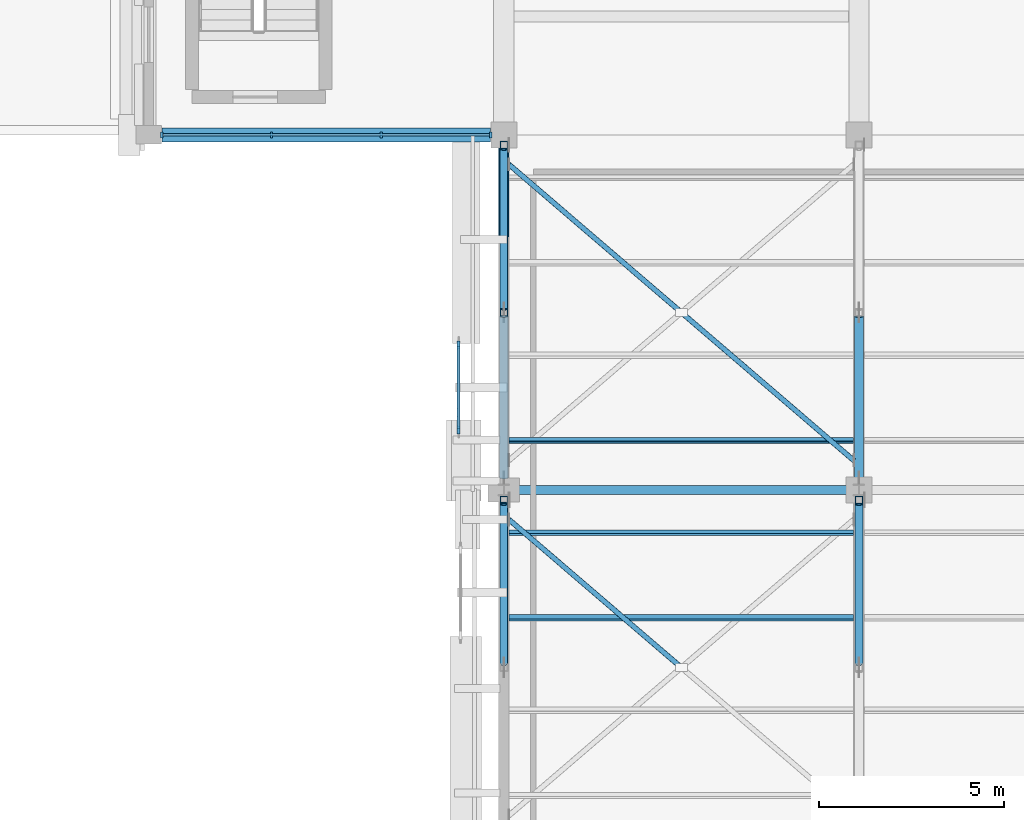
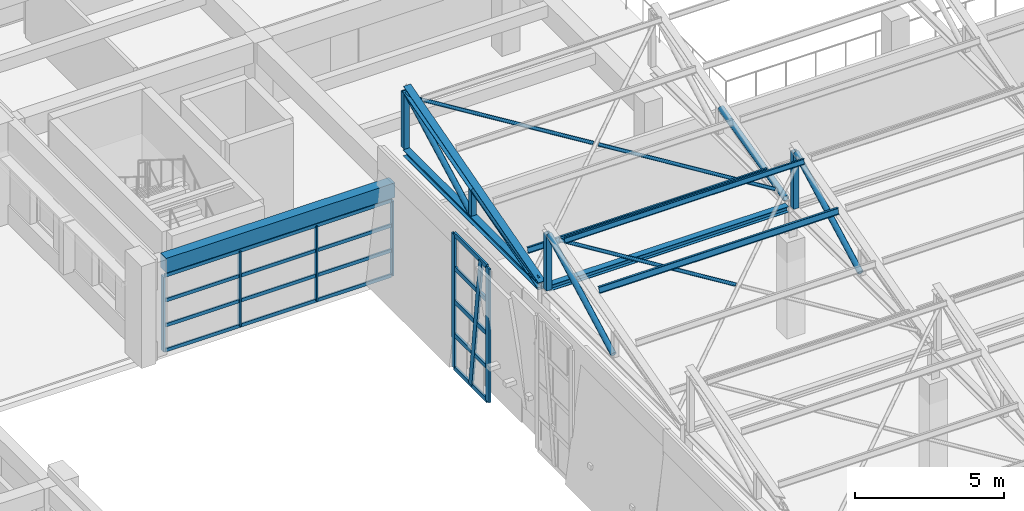
# One storey, part 13 of 71: 33 members, 2 beams, 2 elements without a shape of their own.
"""IFC4 building model written with IfcOpenShell, lengths in metres."""

from ifc_helpers import new_model, si_unit, direction, frame, origin, origin_2d, place, context, subcontext, project, spatial, rectangle, hollow_rectangle, hollow_circle, i_section, extrude, material, layer, layer_set, material_profile, profile_set, type_object, element, aggregate, save


model = new_model("IFC4")

# Units and contexts
model_context = context("Model", 3, precision=1e-05, world=origin(), true_north=direction((0.0, 1.0)))
body_context = subcontext(model_context, "Body", "Model", "MODEL_VIEW")
ifc_project = project(units=[si_unit("LENGTHUNIT", "METRE"), si_unit("AREAUNIT", "SQUARE_METRE"), si_unit("VOLUMEUNIT", "CUBIC_METRE"), si_unit("PLANEANGLEUNIT", "RADIAN"), si_unit("MASSUNIT", "GRAM", prefix="KILO")], contexts=[model_context])

# Site, building, storey
site_placement = place(None, origin())
site = spatial("IfcSite", under=ifc_project, at=site_placement, CompositionType="ELEMENT")
building_placement = place(site_placement, origin())
building = spatial("IfcBuilding", under=site, at=building_placement, Name="Bempovik Park Faculty of Sciences", CompositionType="ELEMENT")
storey_placement = place(building_placement, frame((0.0, 0.0, 14.10009765625)))
storey = spatial("IfcBuildingStorey", under=building, at=storey_placement, Name="L03", CompositionType="ELEMENT", Elevation=14.10009765625)

# Beams
ifc_material_1 = material(Name="Concrete C35/45", Category="concrete")
ifc_material_profile_1 = material_profile(ifc_material_1, rectangle(XDim=0.3798828125, YDim=0.60009765625, at=origin_2d()), Name="RC 380x600")
ifc_profile_set_1 = profile_set([ifc_material_profile_1], Name="Concrete C35/45")
beam_type_1 = type_object("IfcBeamType", Name="B-032 RC 380x600", PredefinedType="SPANDREL", material=ifc_profile_set_1)
beam_1_placement = place(storey_placement, frame((50.756103515625, 67.800048828125, 3.599853515625), z_axis=(1.0, 0.0, 0.0), x_axis=(0.0, 1.0, 0.0)))
element("IfcBeam", 1, at=beam_1_placement, inside=storey, type_object=beam_type_1, Name="L03 Beam X (50.4-60.0, y=67.8)", PredefinedType="SPANDREL", context=body_context, shape_type="SweptSolid", body=[
    extrude(rectangle(XDim=0.3798828125, YDim=0.60009765625, at=origin_2d()), origin(), (0.0, 0.0, 1.0), 8.887939453125),
])
ifc_material_2 = material(Name="Steel S355", Category="steel")
ifc_material_profile_2 = material_profile(ifc_material_2, i_section(OverallWidth=0.239990234375, OverallDepth=0.239990234375, WebThickness=0.010009765625, FlangeThickness=0.01708984375, at=origin_2d()), Name="HEB 240")
ifc_profile_set_2 = profile_set([ifc_material_profile_2], Name="Steel S355")
beam_type_2 = type_object("IfcBeamType", Name="B-042 HEB 240", PredefinedType="BEAM", material=ifc_profile_set_2)
beam_2_placement = place(storey_placement, frame((60.14990234375, 58.199951171875, 5.14990234375), z_axis=(1.0, 0.0, 0.0), x_axis=(0.0, 1.0, 0.0)))
element("IfcBeam", 2, at=beam_2_placement, inside=storey, type_object=beam_type_2, Name="Sawtooth Valley Tie Beam V1-B5 (60.0-69.6)", PredefinedType="BEAM", context=body_context, shape_type="SweptSolid", body=[
    extrude(i_section(OverallWidth=0.239990234375, OverallDepth=0.239990234375, WebThickness=0.010009765625, FlangeThickness=0.01708984375, at=origin_2d()), origin(), (0.0, 0.0, 1.0), 9.300048828125),
])

# Members
ifc_material_profile_3 = material_profile(ifc_material_2, i_section(OverallWidth=0.110107421875, OverallDepth=0.219970703125, WebThickness=0.005859375, FlangeThickness=0.00927734375, at=origin_2d()), Name="IPE 220")
ifc_profile_set_3 = profile_set([ifc_material_profile_3], Name="Steel S355")
member_type_1 = type_object("IfcMemberType", Name="M-18 IPE 220", PredefinedType="PURLIN", material=ifc_profile_set_3)
member_1_placement = place(storey_placement, frame((60.14599609375, 59.5439453125, 5.847412109375), z_axis=(1.0, 0.0, 0.0), x_axis=(0.0, 0.965925826289, -0.258819045103)))
element("IfcMember", 3, at=member_1_placement, inside=storey, type_object=member_type_1, Name="Sawtooth Roof Purlin V1-B5 (60.0-69.6) #1", PredefinedType="PURLIN", context=body_context, shape_type="SweptSolid", body=[
    extrude(i_section(OverallWidth=0.110107421875, OverallDepth=0.219970703125, WebThickness=0.005859375, FlangeThickness=0.00927734375, at=origin_2d()), origin(), (0.0, 0.0, 1.0), 9.30810546875),
])
ifc_material_profile_4 = material_profile(ifc_material_2, hollow_circle(Radius=0.109619140625, WallThickness=0.010009765625, at=origin_2d()), Name="CHS 219.1x10")
ifc_profile_set_4 = profile_set([ifc_material_profile_4], Name="Steel S355")
member_type_2 = type_object("IfcMemberType", Name="M-22 CHS 219.1x10", PredefinedType="BRACE", material=ifc_profile_set_4)
for number, where, z_axis, x_axis, name in (
    (4, (60.0, 53.5048828125, 5.285888671875), (0.0, 0.882198506662, 0.470877685651), (-1.0, 0.0, 0.0), "Sawtooth Web Diagonal 2 V1-B4 (60.0)"),
    (5, (69.60009765625, 53.5048828125, 5.285888671875), (0.0, 0.882198506662, 0.470877685651), (-1.0, 0.0, 0.0), "Sawtooth Web Diagonal 2 V1-B4 (69.6)"),
):
    element("IfcMember", number, at=place(storey_placement, frame(where, z_axis=z_axis, x_axis=x_axis)), inside=storey, type_object=member_type_2, Name=name, PredefinedType="BRACE", context=body_context, shape_type="SweptSolid", body=[
        extrude(hollow_circle(Radius=0.109619140625, WallThickness=0.010009765625, at=origin_2d()), origin(), (0.0, 0.0, 1.0), 4.90283203125),
    ])
member_2_placement = place(storey_placement, frame((60.0, 63.10498046875, 5.285888671875), z_axis=(0.0, 0.882187464719, 0.470898372361), x_axis=(-1.0, 0.0, 0.0)))
element("IfcMember", 6, at=member_2_placement, inside=storey, type_object=member_type_2, Name="Sawtooth Web Diagonal 2 V1-B5 (60.0)", PredefinedType="BRACE", context=body_context, shape_type="SweptSolid", body=[
    extrude(hollow_circle(Radius=0.109619140625, WallThickness=0.010009765625, at=origin_2d()), origin(), (0.0, 0.0, 1.0), 4.902587890625),
])
ifc_material_profile_5 = material_profile(ifc_material_2, i_section(OverallWidth=0.280029296875, OverallDepth=0.280029296875, WebThickness=0.010498046875, FlangeThickness=0.01806640625, at=origin_2d()), Name="HEB 280")
ifc_profile_set_5 = profile_set([ifc_material_profile_5], Name="Steel S355")
member_type_3 = type_object("IfcMemberType", Name="M-26 HEB 280", PredefinedType="CHORD", material=ifc_profile_set_5)
member_3_placement = place(storey_placement, frame((60.0, 58.35595703125, 5.212158203125), z_axis=(0.0, 0.962201828539, 0.272337366434), x_axis=(-1.0, 0.0, 0.0)))
element("IfcMember", 7, at=member_3_placement, inside=storey, type_object=member_type_3, Name="Sawtooth Top Rafter Chord V1-B5 (60.0)", PredefinedType="CHORD", context=body_context, shape_type="SweptSolid", body=[
    extrude(i_section(OverallWidth=0.280029296875, OverallDepth=0.280029296875, WebThickness=0.010498046875, FlangeThickness=0.01806640625, at=origin_2d()), origin(), (0.0, 0.0, 1.0), 9.445068359375),
])
ifc_material_profile_6 = material_profile(ifc_material_2, hollow_rectangle(XDim=0.199951171875, YDim=0.199951171875, WallThickness=0.010009765625, at=origin_2d()), Name="SHS 200x200x10")
ifc_profile_set_6 = profile_set([ifc_material_profile_6], Name="Steel S355")
member_type_4 = type_object("IfcMemberType", Name="M-44 SHS 200x200x10", PredefinedType="POST", material=ifc_profile_set_6)
for number, where, z_axis, x_axis, name in (
    (8, (60.0, 57.929931640625, 5.285888671875), (0.0, 0.0, 1.0), (1.0, 0.0, 0.0), "Sawtooth North-Light Post V1-B4 (60.0)"),
    (9, (69.60009765625, 57.929931640625, 5.285888671875), (0.0, 0.0, 1.0), (1.0, 0.0, 0.0), "Sawtooth North-Light Post V1-B4 (69.6)"),
    (10, (60.0, 67.530029296875, 5.285888671875), (0.0, 0.0, 1.0), (1.0, 0.0, 0.0), "Sawtooth North-Light Post V1-B5 (60.0)"),
):
    element("IfcMember", number, at=place(storey_placement, frame(where, z_axis=z_axis, x_axis=x_axis)), inside=storey, type_object=member_type_4, Name=name, PredefinedType="POST", context=body_context, shape_type="SweptSolid", body=[
        extrude(hollow_rectangle(XDim=0.199951171875, YDim=0.199951171875, WallThickness=0.010009765625, at=origin_2d()), origin(), (0.0, 0.0, 1.0), 2.30859375),
    ])
member_4_placement = place(storey_placement, frame((60.0, 63.0, 5.285888671875), z_axis=(0.0, 0.0, 1.0), x_axis=(1.0, 0.0, 0.0)))
element("IfcMember", 11, at=member_4_placement, inside=storey, type_object=member_type_4, Name="Sawtooth Mid Post V1-B5 (60.0)", PredefinedType="POST", context=body_context, shape_type="SweptSolid", body=[
    extrude(hollow_rectangle(XDim=0.199951171875, YDim=0.199951171875, WallThickness=0.010009765625, at=origin_2d()), origin(), (0.0, 0.0, 1.0), 1.052490234375),
])
ifc_material_profile_7 = material_profile(ifc_material_2, i_section(OverallWidth=0.10009765625, OverallDepth=0.199951171875, WebThickness=0.005615234375, FlangeThickness=0.008544921875, at=origin_2d()), Name="IPE 200")
ifc_profile_set_7 = profile_set([ifc_material_profile_7], Name="Steel S355")
member_type_5 = type_object("IfcMemberType", Name="M-48 IPE 200", PredefinedType="PURLIN", material=ifc_profile_set_7)
member_5_placement = place(storey_placement, frame((60.14599609375, 57.048095703125, 7.7607421875), z_axis=(1.0, 0.0, 0.0), x_axis=(0.0, 0.965925826289, -0.258819045103)))
element("IfcMember", 12, at=member_5_placement, inside=storey, type_object=member_type_5, Name="Sawtooth Roof Purlin V1-B4 (60.0-69.6) #4", PredefinedType="PURLIN", context=body_context, shape_type="SweptSolid", body=[
    extrude(i_section(OverallWidth=0.10009765625, OverallDepth=0.199951171875, WebThickness=0.005615234375, FlangeThickness=0.008544921875, at=origin_2d()), origin(), (0.0, 0.0, 1.0), 9.30810546875),
])
ifc_material_profile_8 = material_profile(ifc_material_2, i_section(OverallWidth=0.260009765625, OverallDepth=0.260009765625, WebThickness=0.010009765625, FlangeThickness=0.017578125, at=origin_2d()), Name="HEB 260")
ifc_profile_set_8 = profile_set([ifc_material_profile_8], Name="Steel S355")
member_type_6 = type_object("IfcMemberType", Name="M-58 HEB 260", PredefinedType="CHORD", material=ifc_profile_set_8)
member_6_placement = place(storey_placement, frame((60.0, 58.35595703125, 5.14990234375), z_axis=(0.0, 1.0, 0.0), x_axis=(-1.0, 0.0, 0.0)))
element("IfcMember", 13, at=member_6_placement, inside=storey, type_object=member_type_6, Name="Sawtooth Bottom Chord V1-B5 (60.0)", PredefinedType="CHORD", context=body_context, shape_type="SweptSolid", body=[
    extrude(i_section(OverallWidth=0.260009765625, OverallDepth=0.260009765625, WebThickness=0.010009765625, FlangeThickness=0.017578125, at=origin_2d()), origin(), (0.0, 0.0, 1.0), 9.088134765625),
])
ifc_material_profile_9 = material_profile(ifc_material_2, hollow_circle(Radius=0.122314453125, WallThickness=0.010009765625, at=origin_2d()), Name="CHS 244.5x10")
ifc_profile_set_9 = profile_set([ifc_material_profile_9], Name="Steel S355")
member_type_7 = type_object("IfcMemberType", Name="M-82 CHS 244.5x10", PredefinedType="BRACE", material=ifc_profile_set_9)
for number, where, z_axis, x_axis, name in (
    (14, (60.0, 58.530029296875, 5.285888671875), (0.0, 0.972139485331, 0.234403116576), (-1.0, 0.0, 0.0), "Sawtooth Web Diagonal 1 V1-B5 (60.0)"),
    (15, (69.60009765625, 58.530029296875, 5.285888671875), (0.0, 0.972139485331, 0.234403116576), (-1.0, 0.0, 0.0), "Sawtooth Web Diagonal 1 V1-B5 (69.6)"),
):
    element("IfcMember", number, at=place(storey_placement, frame(where, z_axis=z_axis, x_axis=x_axis)), inside=storey, type_object=member_type_7, Name=name, PredefinedType="BRACE", context=body_context, shape_type="SweptSolid", body=[
        extrude(hollow_circle(Radius=0.122314453125, WallThickness=0.010009765625, at=origin_2d()), origin(), (0.0, 0.0, 1.0), 4.489990234375),
    ])
ifc_material_profile_10 = material_profile(ifc_material_2, hollow_circle(Radius=0.06982421875, WallThickness=0.00634765625, at=origin_2d()), Name="CHS 139.7x6.3")
ifc_profile_set_10 = profile_set([ifc_material_profile_10], Name="Steel S355")
member_type_8 = type_object("IfcMemberType", Name="M-83 CHS 139.7x6.3", PredefinedType="BRACE", material=ifc_profile_set_10)
member_7_placement = place(storey_placement, frame((60.139892578125, 57.39990234375, 7.5703125), z_axis=(0.747509216421, -0.641613401953, -0.17193665636), x_axis=(0.65131274657, 0.758809400413, 0.0)))
element("IfcMember", 16, at=member_7_placement, inside=storey, type_object=member_type_8, Name="Sawtooth Split X-Brace Half A V1-B4 (60.0-69.6)", PredefinedType="BRACE", context=body_context, shape_type="SweptSolid", body=[
    extrude(hollow_circle(Radius=0.06982421875, WallThickness=0.00634765625, at=origin_2d()), origin(), (0.0, 0.0, 1.0), 6.14404296875),
])
for number, where, z_axis, x_axis, name in (
    (17, (60.139892578125, 67.0, 7.5703125), (0.747490158812, -0.641636778891, -0.171932272867), (0.651335971051, 0.758789465408, 0.0), "Sawtooth Split X-Brace Half A V1-B5 (60.0-69.6)"),
    (18, (64.8671875, 62.9423828125, 6.48291015625), (0.747490158812, -0.641636778891, -0.171932272867), (0.651335971051, 0.758789465408, 0.0), "Sawtooth Split X-Brace Half B V1-B5 (60.0-69.6)"),
):
    element("IfcMember", number, at=place(storey_placement, frame(where, z_axis=z_axis, x_axis=x_axis)), inside=storey, type_object=member_type_8, Name=name, PredefinedType="BRACE", context=body_context, shape_type="SweptSolid", body=[
        extrude(hollow_circle(Radius=0.06982421875, WallThickness=0.00634765625, at=origin_2d()), origin(), (0.0, 0.0, 1.0), 6.144287109375),
    ])
ifc_material_profile_11 = material_profile(ifc_material_2, i_section(OverallWidth=0.1201171875, OverallDepth=0.239990234375, WebThickness=0.006103515625, FlangeThickness=0.009765625, at=origin_2d()), Name="IPE 240")
ifc_profile_set_11 = profile_set([ifc_material_profile_11], Name="Steel S355")
member_type_9 = type_object("IfcMemberType", Name="M-86 IPE 240", PredefinedType="PURLIN", material=ifc_profile_set_11)
member_8_placement = place(storey_placement, frame((60.14599609375, 54.743896484375, 7.12353515625), z_axis=(1.0, 0.0, 0.0), x_axis=(0.0, 0.965925826289, -0.258819045103)))
element("IfcMember", 19, at=member_8_placement, inside=storey, type_object=member_type_9, Name="Sawtooth Roof Purlin V1-B4 (60.0-69.6) #3", PredefinedType="PURLIN", context=body_context, shape_type="SweptSolid", body=[
    extrude(i_section(OverallWidth=0.1201171875, OverallDepth=0.239990234375, WebThickness=0.006103515625, FlangeThickness=0.009765625, at=origin_2d()), origin(), (0.0, 0.0, 1.0), 9.30810546875),
])

# Curtain wall, members
ifc_material_3 = material(Name="Tempered laminated low-E glass", Category="glass")
ifc_layer_1 = layer(ifc_material_3, 0.159912109375)
ifc_layer_set_1 = layer_set([ifc_layer_1], Name="Tempered laminated low-E glass")
curtain_wall_type_1 = type_object("IfcCurtainWallType", Name="CW-41 Curtain 6600x3800", PredefinedType="USERDEFINED", material=ifc_layer_set_1)
curtain_wall_1_placement = place(storey_placement, origin())
curtain_wall_1 = element("IfcCurtainWall", 20, at=curtain_wall_1_placement, inside=storey, type_object=curtain_wall_type_1, Name="L03 Unitised Curtain Wall (67.8,50.4)", ObjectType="UNITISED CURTAIN WALL", PredefinedType="USERDEFINED")
ifc_material_4 = material(Name="Anodised architectural bronze", Category="aluminium")
ifc_material_profile_12 = material_profile(ifc_material_4, rectangle(XDim=0.06494140625, YDim=0.169921875, at=origin_2d()), Name="ALU-M 65x170")
ifc_profile_set_12 = profile_set([ifc_material_profile_12], Name="Anodised architectural bronze")
member_type_10 = type_object("IfcMemberType", Name="ML-15 ALU-M 65x170", PredefinedType="MULLION", material=ifc_profile_set_12)
member_9_placement = place(storey_placement, frame((50.751953125, 67.800048828125, 0.0), z_axis=(0.0, 0.0, 1.0), x_axis=(1.0, 0.0, 0.0)))
member_9 = element("IfcMember", 21, at=member_9_placement, type_object=member_type_10, Name="CW-BAY-L03-678-504 Mullion 0", PredefinedType="MULLION", context=body_context, shape_type="SweptSolid", body=[
    extrude(rectangle(XDim=0.06494140625, YDim=0.169921875, at=origin_2d()), origin(), (0.0, 0.0, 1.0), 3.079833984375),
])
member_10_placement = place(storey_placement, frame((53.71728515625, 67.800048828125, 0.0), z_axis=(0.0, 0.0, 1.0), x_axis=(1.0, 0.0, 0.0)))
member_10 = element("IfcMember", 22, at=member_10_placement, type_object=member_type_10, Name="CW-BAY-L03-678-504 Mullion 1", PredefinedType="MULLION", context=body_context, shape_type="SweptSolid", body=[
    extrude(rectangle(XDim=0.06494140625, YDim=0.169921875, at=origin_2d()), origin(), (0.0, 0.0, 1.0), 3.079833984375),
])
member_11_placement = place(storey_placement, frame((56.6826171875, 67.800048828125, 0.0), z_axis=(0.0, 0.0, 1.0), x_axis=(1.0, 0.0, 0.0)))
member_11 = element("IfcMember", 23, at=member_11_placement, type_object=member_type_10, Name="CW-BAY-L03-678-504 Mullion 2", PredefinedType="MULLION", context=body_context, shape_type="SweptSolid", body=[
    extrude(rectangle(XDim=0.06494140625, YDim=0.169921875, at=origin_2d()), origin(), (0.0, 0.0, 1.0), 3.079833984375),
])
member_12_placement = place(storey_placement, frame((59.64794921875, 67.800048828125, 0.0), z_axis=(0.0, 0.0, 1.0), x_axis=(1.0, 0.0, 0.0)))
member_12 = element("IfcMember", 24, at=member_12_placement, type_object=member_type_10, Name="CW-BAY-L03-678-504 Mullion 3", PredefinedType="MULLION", context=body_context, shape_type="SweptSolid", body=[
    extrude(rectangle(XDim=0.06494140625, YDim=0.169921875, at=origin_2d()), origin(), (0.0, 0.0, 1.0), 3.079833984375),
])

ifc_layer_2 = layer(ifc_material_3, 0.159912109375)
ifc_layer_set_2 = layer_set([ifc_layer_2], Name="Tempered laminated low-E glass")
curtain_wall_type_2 = type_object("IfcCurtainWallType", Name="CW-33 Curtain 2400x4000", PredefinedType="USERDEFINED", material=ifc_layer_set_2)
curtain_wall_2_placement = place(storey_placement, origin())
curtain_wall_2 = element("IfcCurtainWall", 25, at=curtain_wall_2_placement, inside=storey, type_object=curtain_wall_type_2, Name="L03 Crystal Slantwise Light Fold (60.0,58.2)", ObjectType="UNITISED CURTAIN WALL", PredefinedType="USERDEFINED")
ifc_material_profile_13 = material_profile(ifc_material_4, rectangle(XDim=0.080078125, YDim=0.219970703125, at=origin_2d()), Name="ALU-M 80x220")
ifc_profile_set_13 = profile_set([ifc_material_profile_13], Name="Anodised architectural bronze")
member_type_11 = type_object("IfcMemberType", Name="ML-29 ALU-M 80x220", PredefinedType="MULLION", material=ifc_profile_set_13)
member_13_placement = place(storey_placement, frame((58.779052734375, 59.824951171875, -0.0400390625), z_axis=(0.0, 0.0, 1.0), x_axis=(1.0, 0.0, 0.0)))
member_13 = element("IfcMember", 26, at=member_13_placement, type_object=member_type_11, Name="CW-FOLD-L03-600-582 Mullion 0", PredefinedType="MULLION", context=body_context, shape_type="SweptSolid", body=[
    extrude(rectangle(XDim=0.080078125, YDim=0.219970703125, at=origin_2d()), origin(), (0.0, 0.0, 1.0), 5.489990234375),
])
member_14_placement = place(storey_placement, frame((58.779052734375, 60.97509765625, -0.0400390625), z_axis=(0.0, -0.122953748919, 0.992412401992), x_axis=(1.0, 0.0, 0.0)))
member_14 = element("IfcMember", 27, at=member_14_placement, type_object=member_type_11, Name="CW-FOLD-L03-600-582 Mullion 1", PredefinedType="MULLION", context=body_context, shape_type="SweptSolid", body=[
    extrude(rectangle(XDim=0.080078125, YDim=0.219970703125, at=origin_2d()), origin(), (0.0, 0.0, 1.0), 5.531982421875),
])
member_15_placement = place(storey_placement, frame((58.779052734375, 62.125, -0.0400390625), z_axis=(0.0, 0.0, 1.0), x_axis=(1.0, 0.0, 0.0)))
member_15 = element("IfcMember", 28, at=member_15_placement, type_object=member_type_11, Name="CW-FOLD-L03-600-582 Mullion 2", PredefinedType="MULLION", context=body_context, shape_type="SweptSolid", body=[
    extrude(rectangle(XDim=0.080078125, YDim=0.219970703125, at=origin_2d()), origin(), (0.0, 0.0, 1.0), 5.489990234375),
])

# Member
ifc_material_profile_14 = material_profile(ifc_material_4, rectangle(XDim=0.06494140625, YDim=0.139892578125, at=origin_2d()), Name="ALU-T 65x140")
ifc_profile_set_14 = profile_set([ifc_material_profile_14], Name="Anodised architectural bronze")
member_type_12 = type_object("IfcMemberType", Name="TR-17 ALU-T 65x140", PredefinedType="USERDEFINED", material=ifc_profile_set_14)
member_16_placement = place(storey_placement, frame((50.7919921875, 67.800048828125, 0.0), z_axis=(1.0, 0.0, 0.0), x_axis=(0.0, 1.0, 0.0)))
member_16 = element("IfcMember", 29, at=member_16_placement, type_object=member_type_12, Name="CW-BAY-L03-678-504 Transom 0", ObjectType="TRANSOM", PredefinedType="USERDEFINED", context=body_context, shape_type="SweptSolid", body=[
    extrude(rectangle(XDim=0.06494140625, YDim=0.139892578125, at=origin_2d()), origin(), (0.0, 0.0, 1.0), 8.81591796875),
])

member_17_placement = place(storey_placement, frame((50.7919921875, 67.800048828125, 1.026611328125), z_axis=(1.0, 0.0, 0.0), x_axis=(0.0, 1.0, 0.0)))
member_17 = element("IfcMember", 30, at=member_17_placement, type_object=member_type_12, Name="CW-BAY-L03-678-504 Transom 1", ObjectType="TRANSOM", PredefinedType="USERDEFINED", context=body_context, shape_type="SweptSolid", body=[
    extrude(rectangle(XDim=0.06494140625, YDim=0.139892578125, at=origin_2d()), origin(), (0.0, 0.0, 1.0), 8.81591796875),
])

member_18_placement = place(storey_placement, frame((50.7919921875, 67.800048828125, 2.05322265625), z_axis=(1.0, 0.0, 0.0), x_axis=(0.0, 1.0, 0.0)))
member_18 = element("IfcMember", 31, at=member_18_placement, type_object=member_type_12, Name="CW-BAY-L03-678-504 Transom 2", ObjectType="TRANSOM", PredefinedType="USERDEFINED", context=body_context, shape_type="SweptSolid", body=[
    extrude(rectangle(XDim=0.06494140625, YDim=0.139892578125, at=origin_2d()), origin(), (0.0, 0.0, 1.0), 8.81591796875),
])

member_19_placement = place(storey_placement, frame((50.7919921875, 67.800048828125, 3.079833984375), z_axis=(1.0, 0.0, 0.0), x_axis=(0.0, 1.0, 0.0)))
member_19 = element("IfcMember", 32, at=member_19_placement, type_object=member_type_12, Name="CW-BAY-L03-678-504 Transom 3", ObjectType="TRANSOM", PredefinedType="USERDEFINED", context=body_context, shape_type="SweptSolid", body=[
    extrude(rectangle(XDim=0.06494140625, YDim=0.139892578125, at=origin_2d()), origin(), (0.0, 0.0, 1.0), 8.81591796875),
])

aggregate(curtain_wall_1, [member_9, member_10, member_11, member_12, member_16, member_17, member_18, member_19])

ifc_material_profile_15 = material_profile(ifc_material_4, rectangle(XDim=0.080078125, YDim=0.179931640625, at=origin_2d()), Name="ALU-T 80x180")
ifc_profile_set_15 = profile_set([ifc_material_profile_15], Name="Anodised architectural bronze")
member_type_13 = type_object("IfcMemberType", Name="TR-29 ALU-T 80x180", PredefinedType="USERDEFINED", material=ifc_profile_set_15)
member_20_placement = place(storey_placement, frame((58.779052734375, 59.864990234375, -0.0400390625), z_axis=(0.0, 1.0, 0.0), x_axis=(-1.0, 0.0, 0.0)))
member_20 = element("IfcMember", 33, at=member_20_placement, type_object=member_type_13, Name="CW-FOLD-L03-600-582 Transom 0", ObjectType="TRANSOM", PredefinedType="USERDEFINED", context=body_context, shape_type="SweptSolid", body=[
    extrude(rectangle(XDim=0.080078125, YDim=0.179931640625, at=origin_2d()), origin(), (0.0, 0.0, 1.0), 2.219970703125),
])

member_21_placement = place(storey_placement, frame((58.779052734375, 59.864990234375, 1.33251953125), z_axis=(0.0, 1.0, 0.0), x_axis=(-1.0, 0.0, 0.0)))
member_21 = element("IfcMember", 34, at=member_21_placement, type_object=member_type_13, Name="CW-FOLD-L03-600-582 Transom 1", ObjectType="TRANSOM", PredefinedType="USERDEFINED", context=body_context, shape_type="SweptSolid", body=[
    extrude(rectangle(XDim=0.080078125, YDim=0.179931640625, at=origin_2d()), origin(), (0.0, 0.0, 1.0), 2.219970703125),
])

member_22_placement = place(storey_placement, frame((58.779052734375, 59.864990234375, 2.704833984375), z_axis=(0.0, 1.0, 0.0), x_axis=(-1.0, 0.0, 0.0)))
member_22 = element("IfcMember", 35, at=member_22_placement, type_object=member_type_13, Name="CW-FOLD-L03-600-582 Transom 2", ObjectType="TRANSOM", PredefinedType="USERDEFINED", context=body_context, shape_type="SweptSolid", body=[
    extrude(rectangle(XDim=0.080078125, YDim=0.179931640625, at=origin_2d()), origin(), (0.0, 0.0, 1.0), 2.219970703125),
])

member_23_placement = place(storey_placement, frame((58.779052734375, 59.864990234375, 4.077392578125), z_axis=(0.0, 1.0, 0.0), x_axis=(-1.0, 0.0, 0.0)))
member_23 = element("IfcMember", 36, at=member_23_placement, type_object=member_type_13, Name="CW-FOLD-L03-600-582 Transom 3", ObjectType="TRANSOM", PredefinedType="USERDEFINED", context=body_context, shape_type="SweptSolid", body=[
    extrude(rectangle(XDim=0.080078125, YDim=0.179931640625, at=origin_2d()), origin(), (0.0, 0.0, 1.0), 2.219970703125),
])

member_24_placement = place(storey_placement, frame((58.779052734375, 59.864990234375, 5.449951171875), z_axis=(0.0, 1.0, 0.0), x_axis=(-1.0, 0.0, 0.0)))
member_24 = element("IfcMember", 37, at=member_24_placement, type_object=member_type_13, Name="CW-FOLD-L03-600-582 Transom 4", ObjectType="TRANSOM", PredefinedType="USERDEFINED", context=body_context, shape_type="SweptSolid", body=[
    extrude(rectangle(XDim=0.080078125, YDim=0.179931640625, at=origin_2d()), origin(), (0.0, 0.0, 1.0), 2.219970703125),
])

aggregate(curtain_wall_2, [member_13, member_14, member_15, member_20, member_21, member_22, member_23, member_24])

save(model, "model.ifc")
